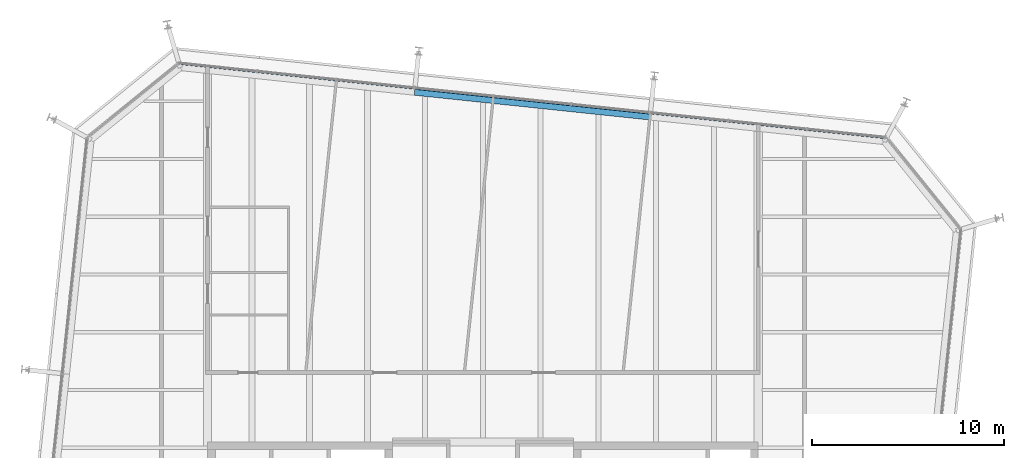
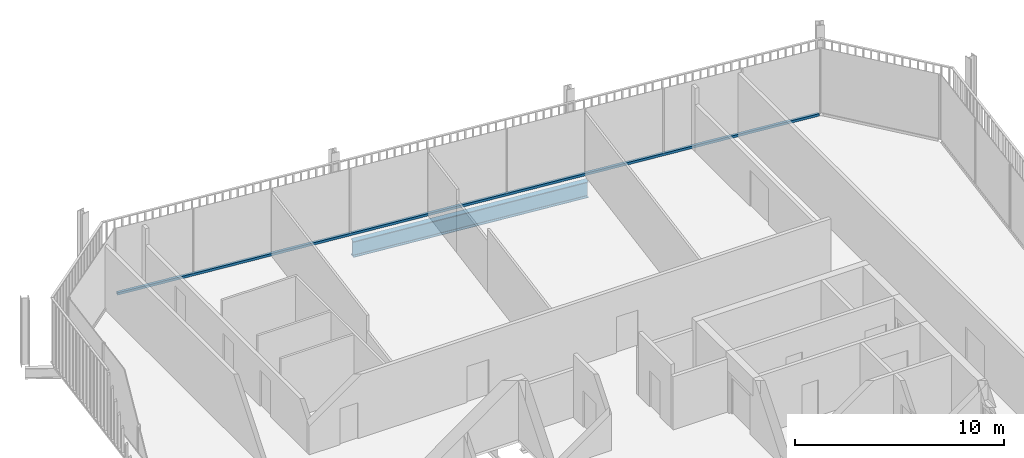
# One storey, part 13 of 19: 1 beam, 1 member, 1 element without a shape of its own.
"""IFC4 building model written with IfcOpenShell, lengths in metres."""

from ifc_helpers import new_model, si_unit, direction, frame, origin, origin_2d, place, context, subcontext, project, spatial, rectangle, i_section, extrude, material, layer, layer_set, material_profile, profile_set, type_object, element, aggregate, save


model = new_model("IFC4")

# Units and contexts
model_context = context("Model", 3, precision=1e-05, world=origin(), true_north=direction((0.0, 1.0)))
body_context = subcontext(model_context, "Body", "Model", "MODEL_VIEW")
ifc_project = project(units=[si_unit("LENGTHUNIT", "METRE"), si_unit("AREAUNIT", "SQUARE_METRE"), si_unit("VOLUMEUNIT", "CUBIC_METRE"), si_unit("PLANEANGLEUNIT", "RADIAN"), si_unit("MASSUNIT", "GRAM", prefix="KILO")], contexts=[model_context])

# Site, building, storey
site_placement = place(None, origin())
site = spatial("IfcSite", under=ifc_project, at=site_placement, CompositionType="ELEMENT")
building_placement = place(site_placement, origin())
building = spatial("IfcBuilding", under=site, at=building_placement, Name="Millrace Tower", CompositionType="ELEMENT")
storey_placement = place(building_placement, frame((0.0, 0.0, 338.199951171875)))
storey = spatial("IfcBuildingStorey", under=building, at=storey_placement, Name="L78", CompositionType="ELEMENT", Elevation=338.199951171875)

# Curtain wall, member
ifc_material_1 = material(Name="Aluminium and glass", Category="aluminium")
ifc_layer = layer(ifc_material_1, 0.14990234375)
ifc_layer_set = layer_set([ifc_layer], Name="Aluminium and glass")
curtain_wall_type = type_object("IfcCurtainWallType", Name="CW-1 office vision curtain wall", PredefinedType="NOTDEFINED", material=ifc_layer_set)
curtain_wall_placement = place(storey_placement, origin())
curtain_wall = element("IfcCurtainWall", 1, at=curtain_wall_placement, inside=storey, type_object=curtain_wall_type, Name="Curtain wall E-F06 L78", PredefinedType="NOTDEFINED")
ifc_material_2 = material(Name="Aluminium", Category="aluminium")
ifc_material_profile_1 = material_profile(ifc_material_2, rectangle(XDim=0.14990234375, YDim=0.139892578125, at=origin_2d()))
ifc_profile_set_1 = profile_set([ifc_material_profile_1], Name="Aluminium")
member_type = type_object("IfcMemberType", Name="CW-1 office vision curtain wall transom", PredefinedType="USERDEFINED", material=ifc_profile_set_1)
member_placement = place(storey_placement, frame((20.83544921875, 25.1318359375, 0.070068359375), z_axis=(-0.994521952886, 0.104527916025, 0.0), x_axis=(-0.104527916025, -0.994521952886, 0.0)))
member = element("IfcMember", 2, at=member_placement, type_object=member_type, Name="CW1 transom E-F06.1", ObjectType="TRANSOM", PredefinedType="USERDEFINED", context=body_context, shape_type="SweptSolid", body=[
    extrude(rectangle(XDim=0.14990234375, YDim=0.139892578125, at=origin_2d()), origin(), (0.0, 0.0, 1.0), 36.699951171875),
])
aggregate(curtain_wall, [member])

# Beam
ifc_material_3 = material(Name="Steel ASTM A992 Grade 50", Category="steel")
ifc_material_profile_2 = material_profile(ifc_material_3, i_section(OverallWidth=0.307373046875, OverallDepth=0.927001953125, WebThickness=0.01953125, FlangeThickness=0.031982421875, FilletRadius=0.01904296875, at=origin_2d()))
ifc_profile_set_2 = profile_set([ifc_material_profile_2], Name="Steel ASTM A992 Grade 50")
beam_type = type_object("IfcBeamType", Name="Ring beam medium span W36x194", PredefinedType="SPANDREL", material=ifc_profile_set_2)
beam_placement = place(storey_placement, frame((-3.554443359375, 27.46533203125, -0.62353515625), z_axis=(0.994522406476, -0.104523600289, 0.0), x_axis=(0.104523600289, 0.994522406476, 0.0)))
element("IfcBeam", 3, at=beam_placement, inside=storey, type_object=beam_type, Name="RNG-E-L78-S1-06", PredefinedType="SPANDREL", context=body_context, shape_type="SweptSolid", body=[
    extrude(i_section(OverallWidth=0.307373046875, OverallDepth=0.927001953125, WebThickness=0.01953125, FlangeThickness=0.031982421875, FilletRadius=0.01904296875, at=origin_2d()), origin(), (0.0, 0.0, 1.0), 12.300048828125),
])

save(model, "model.ifc")
